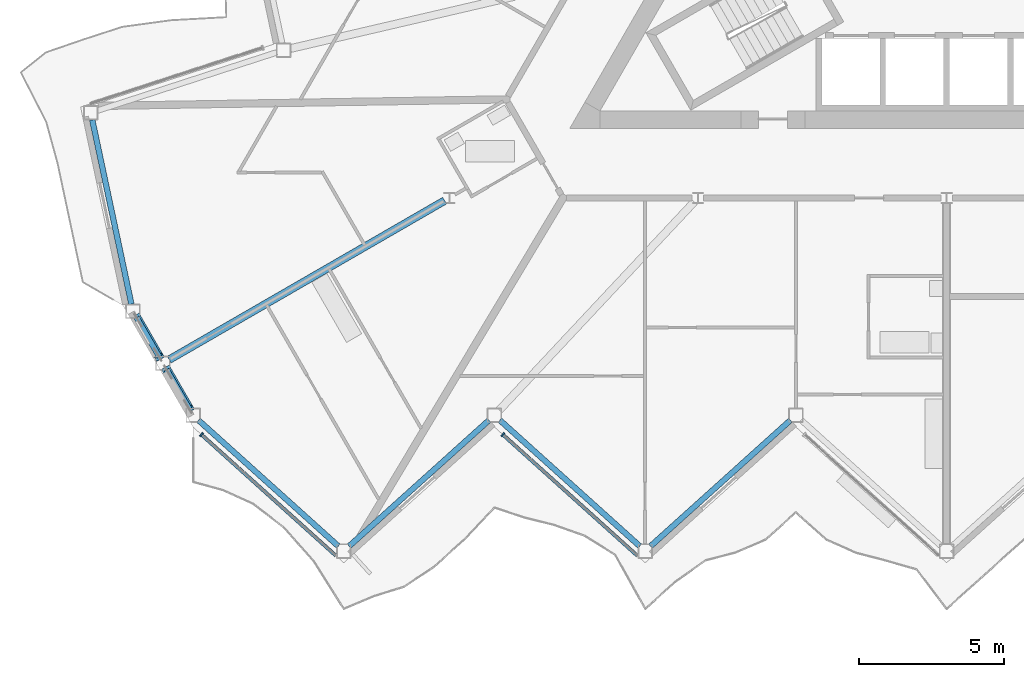
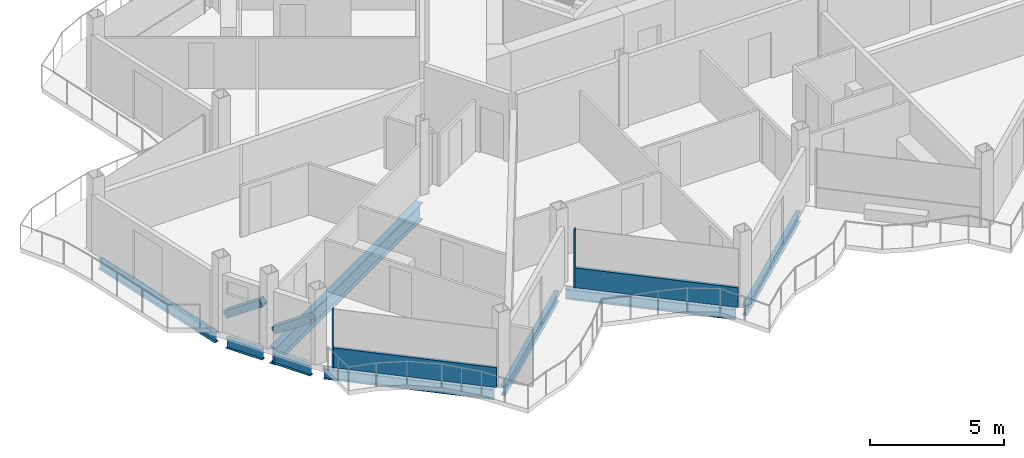
# One storey, part 4 of 26: 8 beams, 6 members, 2 elements without a shape of their own.
"""IFC4 building model written with IfcOpenShell, lengths in metres."""

from ifc_helpers import new_model, si_unit, direction, frame, origin, origin_2d, place, context, subcontext, project, spatial, rectangle, hollow_rectangle, i_section, extrude, material, layer, layer_set, material_profile, profile_set, type_object, element, aggregate, save


model = new_model("IFC4")

# Units and contexts
model_context = context("Model", 3, precision=1e-05, world=origin(), true_north=direction((0.0, 1.0)))
body_context = subcontext(model_context, "Body", "Model", "MODEL_VIEW")
ifc_project = project(units=[si_unit("LENGTHUNIT", "METRE"), si_unit("AREAUNIT", "SQUARE_METRE"), si_unit("VOLUMEUNIT", "CUBIC_METRE"), si_unit("PLANEANGLEUNIT", "RADIAN"), si_unit("MASSUNIT", "GRAM", prefix="KILO")], contexts=[model_context])

# Site, building, storey
site_placement = place(None, origin())
site = spatial("IfcSite", under=ifc_project, at=site_placement, CompositionType="ELEMENT")
building_placement = place(site_placement, origin())
building = spatial("IfcBuilding", under=site, at=building_placement, Name="Cormorant Prow Tower", CompositionType="ELEMENT")
storey_placement = place(building_placement, frame((0.0, 0.0, 388.199951171875)))
storey = spatial("IfcBuildingStorey", under=building, at=storey_placement, Name="L88", CompositionType="ELEMENT", Elevation=388.199951171875)

# Members
ifc_material_1 = material(Name="Structural steel ASTM A500 Gr C", Category="steel")
ifc_material_profile_1 = material_profile(ifc_material_1, hollow_rectangle(XDim=0.3046875, YDim=0.3046875, WallThickness=0.01171875, at=origin_2d()), Name="HSS12x12x1/2")
ifc_profile_set_1 = profile_set([ifc_material_profile_1], Name="Structural steel ASTM A500 Gr C")
member_type_1 = type_object("IfcMemberType", Name="Chamfer brace HSS12x12x1/2", PredefinedType="BRACE", material=ifc_profile_set_1)
member_1_placement = place(storey_placement, frame((-27.950439453125, -14.027587890625, 0.770751953125), z_axis=(0.411259909174, -0.712333680754, 0.568723143867), x_axis=(0.866028632512, 0.499994407638, 0.0)))
element("IfcMember", 1, at=member_1_placement, inside=storey, type_object=member_type_1, Name="Chamfer brace BR3 at WSW00 L88", PredefinedType="BRACE", context=body_context, shape_type="SweptSolid", body=[
    extrude(hollow_rectangle(XDim=0.3046875, YDim=0.3046875, WallThickness=0.01171875, at=origin_2d()), origin(), (0.0, 0.0, 1.0), 1.921142578125),
])
member_2_placement = place(storey_placement, frame((-26.91357421875, -15.823486328125, 0.770751953125), z_axis=(0.41132825952, -0.712359043209, 0.568641940485), x_axis=(0.866000359435, 0.500043375578, 0.0)))
element("IfcMember", 2, at=member_2_placement, inside=storey, type_object=member_type_1, Name="Chamfer brace BR3 at WSW01 L88", PredefinedType="BRACE", context=body_context, shape_type="SweptSolid", body=[
    extrude(hollow_rectangle(XDim=0.3046875, YDim=0.3046875, WallThickness=0.01171875, at=origin_2d()), origin(), (0.0, 0.0, 1.0), 1.92138671875),
])

# Beam
ifc_material_2 = material(Name="Structural steel ASTM A992 Gr 50", Category="steel")
ifc_material_profile_2 = material_profile(ifc_material_2, i_section(OverallWidth=0.267822265625, OverallDepth=0.77001953125, WebThickness=0.015625, FlangeThickness=0.025390625, at=origin_2d()), Name="W30x132")
ifc_profile_set_2 = profile_set([ifc_material_profile_2], Name="Structural steel ASTM A992 Gr 50")
beam_type_1 = type_object("IfcBeamType", Name="Radial floor beam W30x132", PredefinedType="BEAM", material=ifc_profile_set_2)
beam_1_placement = place(storey_placement, frame((-17.31884765625, -9.9990234375, -0.684814453125), z_axis=(-0.866018830095, -0.500011385791, 0.0), x_axis=(0.500011385791, -0.866018830095, 0.0)))
element("IfcBeam", 3, at=beam_1_placement, inside=storey, type_object=beam_type_1, Name="Radial floor beam FB3 5 L88", PredefinedType="BEAM", context=body_context, shape_type="SweptSolid", body=[
    extrude(i_section(OverallWidth=0.267822265625, OverallDepth=0.77001953125, WebThickness=0.015625, FlangeThickness=0.025390625, at=origin_2d()), origin(), (0.0, 0.0, 1.0), 10.971435546875),
])

# Curtain wall, member
ifc_material_3 = material(Name="Aluminium 6063-T6", Category="aluminium")
ifc_layer = layer(ifc_material_3, 0.159912109375)
ifc_layer_set = layer_set([ifc_layer], Name="Aluminium 6063-T6")
curtain_wall_type = type_object("IfcCurtainWallType", Name="Residential unitised curtain wall 160", PredefinedType="NOTDEFINED", material=ifc_layer_set)
curtain_wall_1_placement = place(storey_placement, origin())
curtain_wall_1 = element("IfcCurtainWall", 4, at=curtain_wall_1_placement, inside=storey, type_object=curtain_wall_type, Name="Residential curtain wall S00", PredefinedType="NOTDEFINED")
ifc_material_4 = material(Name="Aluminium 6063-T6", Category="aluminium")
ifc_material_profile_3 = material_profile(ifc_material_4, rectangle(XDim=0.159912109375, YDim=0.050048828125, at=origin_2d()), Name="Residential mullion 50x160")
ifc_profile_set_3 = profile_set([ifc_material_profile_3], Name="Aluminium 6063-T6")
member_type_2 = type_object("IfcMemberType", Name="Residential mullion 50x160", PredefinedType="MULLION", material=ifc_profile_set_3)
member_3_placement = place(storey_placement, frame((-25.70947265625, -18.0712890625, 0.0), z_axis=(0.0, 0.0, 1.0), x_axis=(0.669130603959, 0.743144827638, 0.0)))
member_3 = element("IfcMember", 5, at=member_3_placement, type_object=member_type_2, Name="Residential mullion S00", PredefinedType="MULLION", context=body_context, shape_type="SweptSolid", body=[
    extrude(rectangle(XDim=0.159912109375, YDim=0.050048828125, at=origin_2d()), origin(), (0.0, 0.0, 1.0), 2.634033203125),
])

curtain_wall_2_placement = place(storey_placement, origin())
curtain_wall_2 = element("IfcCurtainWall", 6, at=curtain_wall_2_placement, inside=storey, type_object=curtain_wall_type, Name="Residential curtain wall S02", PredefinedType="NOTDEFINED")
member_4_placement = place(storey_placement, frame((-15.309326171875, -18.0712890625, 0.0), z_axis=(0.0, 0.0, 1.0), x_axis=(0.669130603959, 0.743144827638, 0.0)))
member_4 = element("IfcMember", 7, at=member_4_placement, type_object=member_type_2, Name="Residential mullion S02", PredefinedType="MULLION", context=body_context, shape_type="SweptSolid", body=[
    extrude(rectangle(XDim=0.159912109375, YDim=0.050048828125, at=origin_2d()), origin(), (0.0, 0.0, 1.0), 2.634033203125),
])

# Member
ifc_material_5 = material(Name="Terracotta", Category="masonry")
ifc_material_profile_4 = material_profile(ifc_material_5, rectangle(XDim=0.1201171875, YDim=0.89990234375, at=origin_2d()), Name="Residential terracotta spandrel rail 120x900")
ifc_profile_set_4 = profile_set([ifc_material_profile_4], Name="Terracotta")
member_type_3 = type_object("IfcMemberType", Name="Residential terracotta spandrel rail 120x900", PredefinedType="USERDEFINED", material=ifc_profile_set_4)
member_5_placement = place(storey_placement, frame((-25.69091796875, -18.088134765625, 0.449951171875), z_axis=(0.743159360055, -0.669114463723, 0.0), x_axis=(0.669114463723, 0.743159360055, 0.0)))
member_5 = element("IfcMember", 8, at=member_5_placement, type_object=member_type_3, Name="Residential spandrel rail S00", ObjectType="TRANSOM", PredefinedType="USERDEFINED", context=body_context, shape_type="SweptSolid", body=[
    extrude(rectangle(XDim=0.1201171875, YDim=0.89990234375, at=origin_2d()), origin(), (0.0, 0.0, 1.0), 6.21533203125),
])

aggregate(curtain_wall_1, [member_3, member_5])

member_6_placement = place(storey_placement, frame((-15.290771484375, -18.088134765625, 0.449951171875), z_axis=(0.743159360055, -0.669114463723, 0.0), x_axis=(0.669114463723, 0.743159360055, 0.0)))
member_6 = element("IfcMember", 9, at=member_6_placement, type_object=member_type_3, Name="Residential spandrel rail S02", ObjectType="TRANSOM", PredefinedType="USERDEFINED", context=body_context, shape_type="SweptSolid", body=[
    extrude(rectangle(XDim=0.1201171875, YDim=0.89990234375, at=origin_2d()), origin(), (0.0, 0.0, 1.0), 6.21533203125),
])

aggregate(curtain_wall_2, [member_4, member_6])

# Beams
ifc_material_6 = material(Name="Structural steel ASTM A992 Gr 50", Category="steel")
ifc_material_profile_5 = material_profile(ifc_material_6, i_section(OverallWidth=0.19287109375, OverallDepth=0.466064453125, WebThickness=0.011474609375, FlangeThickness=0.01904296875, at=origin_2d()), Name="W18x65")
ifc_profile_set_5 = profile_set([ifc_material_profile_5], Name="Structural steel ASTM A992 Gr 50")
beam_type_2 = type_object("IfcBeamType", Name="Spandrel beam W18x65", PredefinedType="SPANDREL", material=ifc_profile_set_5)
for number, where, z_axis, x_axis, name in (
    (10, (-25.814208984375, -17.572998046875, -0.532958984375), (0.743131573737, -0.669145323614, 0.0), (0.669145323614, 0.743131573737, 0.0), "Spandrel beam SB4 S00-S01 L88"),
    (11, (-20.6142578125, -21.920654296875, -0.532958984375), (0.743131573737, 0.669145323614, 0.0), (-0.669145323614, 0.743131573737, 0.0), "Spandrel beam SB4 S01-S02 L88"),
):
    element("IfcBeam", number, at=place(storey_placement, frame(where, z_axis=z_axis, x_axis=x_axis)), inside=storey, type_object=beam_type_2, Name=name, PredefinedType="SPANDREL", context=body_context, shape_type="SweptSolid", body=[
        extrude(i_section(OverallWidth=0.19287109375, OverallDepth=0.466064453125, WebThickness=0.011474609375, FlangeThickness=0.01904296875, at=origin_2d()), origin(), (0.0, 0.0, 1.0), 6.497314453125),
    ])
beam_2_placement = place(storey_placement, frame((-15.414306640625, -17.572998046875, -0.532958984375), z_axis=(0.743148397689, -0.669126638995, 0.0), x_axis=(0.669126638995, 0.743148397689, 0.0)))
element("IfcBeam", 12, at=beam_2_placement, inside=storey, type_object=beam_type_2, Name="Spandrel beam SB4 S02-S03 L88", PredefinedType="SPANDREL", context=body_context, shape_type="SweptSolid", body=[
    extrude(i_section(OverallWidth=0.19287109375, OverallDepth=0.466064453125, WebThickness=0.011474609375, FlangeThickness=0.01904296875, at=origin_2d()), origin(), (0.0, 0.0, 1.0), 6.49755859375),
])
beam_3_placement = place(storey_placement, frame((-10.214111328125, -21.920654296875, -0.532958984375), z_axis=(0.743131573737, 0.669145323614, 0.0), x_axis=(-0.669145323614, 0.743131573737, 0.0)))
element("IfcBeam", 13, at=beam_3_placement, inside=storey, type_object=beam_type_2, Name="Spandrel beam SB4 S03-S04 L88", PredefinedType="SPANDREL", context=body_context, shape_type="SweptSolid", body=[
    extrude(i_section(OverallWidth=0.19287109375, OverallDepth=0.466064453125, WebThickness=0.011474609375, FlangeThickness=0.01904296875, at=origin_2d()), origin(), (0.0, 0.0, 1.0), 6.497314453125),
])
beam_4_placement = place(storey_placement, frame((-29.4765625, -7.2138671875, -0.532958984375), z_axis=(0.207901897373, -0.978149682344, 0.0), x_axis=(0.978149682344, 0.207901897373, 0.0)))
element("IfcBeam", 14, at=beam_4_placement, inside=storey, type_object=beam_type_2, Name="Spandrel beam SB4 WNW09-WSW00 L88", PredefinedType="SPANDREL", context=body_context, shape_type="SweptSolid", body=[
    extrude(i_section(OverallWidth=0.19287109375, OverallDepth=0.466064453125, WebThickness=0.011474609375, FlangeThickness=0.01904296875, at=origin_2d()), origin(), (0.0, 0.0, 1.0), 6.49755859375),
])
for number, where, z_axis, x_axis, name in (
    (15, (-27.94873046875, -14.0302734375, -0.532958984375), (0.499959680857, -0.866048680801, 0.0), (0.866048680801, 0.499959680857, 0.0), "Spandrel beam SB4 WSW00-WSW01 L88"),
    (16, (-26.911865234375, -15.826171875, -0.532958984375), (0.499959680857, -0.866048680801, 0.0), (0.866048680801, 0.499959680857, 0.0), "Spandrel beam SB4 WSW01-S00 L88"),
):
    element("IfcBeam", number, at=place(storey_placement, frame(where, z_axis=z_axis, x_axis=x_axis)), inside=storey, type_object=beam_type_2, Name=name, PredefinedType="SPANDREL", context=body_context, shape_type="SweptSolid", body=[
        extrude(i_section(OverallWidth=0.19287109375, OverallDepth=0.466064453125, WebThickness=0.011474609375, FlangeThickness=0.01904296875, at=origin_2d()), origin(), (0.0, 0.0, 1.0), 1.573974609375),
    ])

save(model, "model.ifc")
